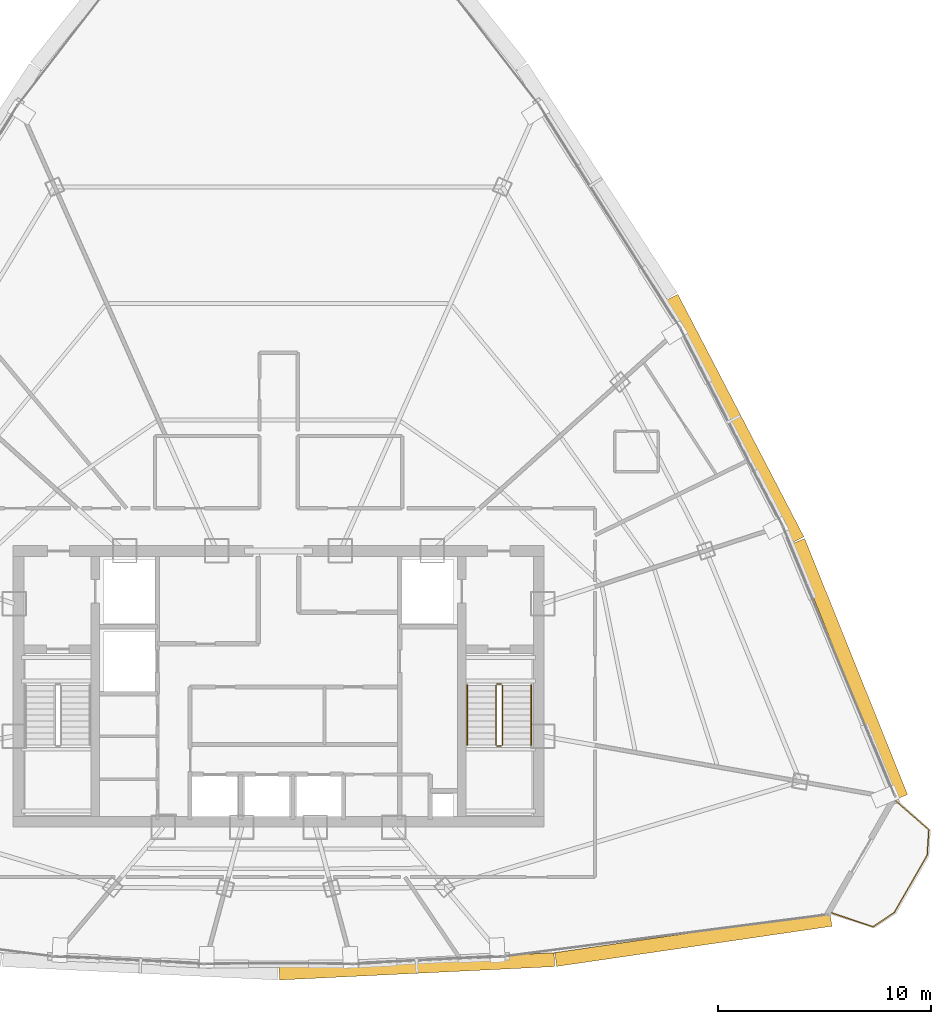
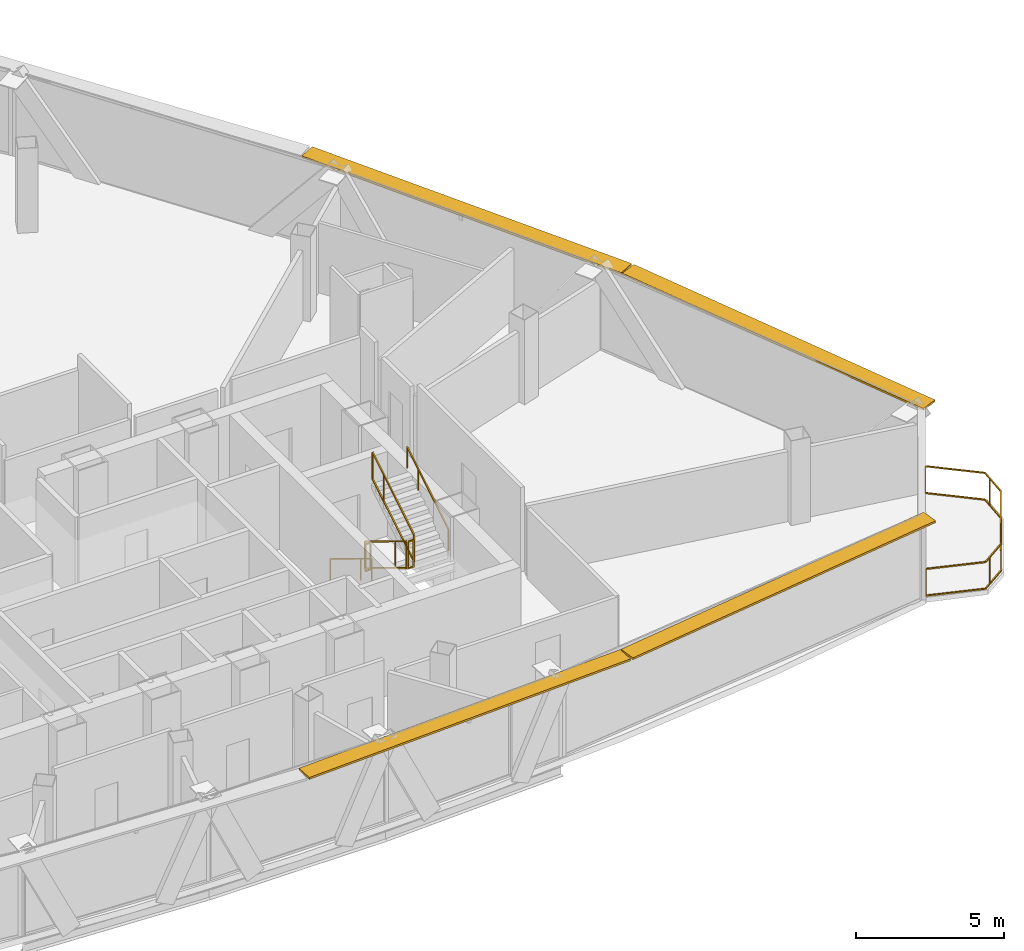
# One storey, part 33 of 34: 7 railings, 4 shading devices.
"""IFC4 building model written with IfcOpenShell, lengths in metres."""

from ifc_helpers import new_model, si_unit, direction, frame, origin, origin_2d, place, context, subcontext, project, spatial, rectangle, extrude, source, transform, mapped, material, layer, layer_set, type_object, element, save


model = new_model("IFC4")

# Units and contexts
model_context = context("Model", 3, precision=1e-05, world=origin(), true_north=direction((0.0, 1.0)))
body_context = subcontext(model_context, "Body", "Model", "MODEL_VIEW")
ifc_project = project(units=[si_unit("LENGTHUNIT", "METRE"), si_unit("AREAUNIT", "SQUARE_METRE"), si_unit("VOLUMEUNIT", "CUBIC_METRE"), si_unit("PLANEANGLEUNIT", "RADIAN"), si_unit("MASSUNIT", "GRAM", prefix="KILO"), si_unit("THERMODYNAMICTEMPERATUREUNIT", "KELVIN"), si_unit("POWERUNIT", "WATT")], contexts=[model_context])

# Site, building, storey
site_placement = place(None, origin())
site = spatial("IfcSite", under=ifc_project, at=site_placement, CompositionType="ELEMENT")
building_placement = place(site_placement, origin())
building = spatial("IfcBuilding", under=site, at=building_placement, Name="Yunzhuo Pagoda Commons", CompositionType="ELEMENT")
storey_placement = place(building_placement, frame((0.0, 0.0, 333.010009765625)))
storey = spatial("IfcBuildingStorey", under=building, at=storey_placement, Name="L83", CompositionType="ELEMENT", Elevation=333.010009765625)

# Railings
ifc_material = material(Name="Anodized aluminium 6063-T6", Category="aluminium")
railing_type_1 = type_object("IfcRailingType", Name="GR-ST2 Stair Well Guardrail 1160", PredefinedType="GUARDRAIL", material=ifc_material)
railing_1_placement = place(storey_placement, frame((58.199951171875, 33.89990234375, 0.17041015625)))
element("IfcRailing", 1, at=railing_1_placement, inside=storey, type_object=railing_type_1, Name="L83 ST2 stair guard 1", PredefinedType="GUARDRAIL", context=body_context, shape_type="SweptSolid", body=[
    extrude(rectangle(XDim=0.048095703125, YDim=0.048095703125, at=origin_2d()), frame((0.0, 0.0, 1.1259765625), z_axis=(0.0, -0.854149651119, 0.520027281489), x_axis=(1.0, 0.0, 0.0)), (0.0, 0.0, 1.0), 3.27783203125),
    extrude(rectangle(XDim=0.048095703125, YDim=0.048095703125, at=origin_2d()), frame((0.0, 0.0, 0.02392578125), z_axis=(0.0, -0.854149651119, 0.520027281489), x_axis=(1.0, 0.0, 0.0)), (0.0, 0.0, 1.0), 3.27783203125),
    extrude(rectangle(XDim=0.0419921875, YDim=0.0419921875, at=origin_2d()), origin(), (0.0, 0.0, 1.0), 1.101806640625),
    extrude(rectangle(XDim=0.0419921875, YDim=0.0419921875, at=origin_2d()), frame((0.0, -2.050048828125, 1.248046875)), (0.0, 0.0, 1.0), 1.101806640625),
    extrude(rectangle(XDim=0.0419921875, YDim=0.0419921875, at=origin_2d()), frame((0.0, -2.7998046875, 1.70458984375)), (0.0, 0.0, 1.0), 1.101806640625),
])
railing_2_placement = place(storey_placement, frame((58.25, 31.050048828125, 1.875)))
element("IfcRailing", 2, at=railing_2_placement, inside=storey, type_object=railing_type_1, Name="L83 ST2 stair guard 2", PredefinedType="GUARDRAIL", context=body_context, shape_type="SweptSolid", body=[
    extrude(rectangle(XDim=0.048095703125, YDim=0.048095703125, at=origin_2d()), frame((0.0, 0.0, 1.1259765625), z_axis=(1.0, 0.0, 0.0), x_axis=(0.0, 1.0, 0.0)), (0.0, 0.0, 1.0), 0.199951171875),
    extrude(rectangle(XDim=0.048095703125, YDim=0.048095703125, at=origin_2d()), frame((0.0, 0.0, 0.02392578125), z_axis=(1.0, 0.0, 0.0), x_axis=(0.0, 1.0, 0.0)), (0.0, 0.0, 1.0), 0.199951171875),
    extrude(rectangle(XDim=0.0419921875, YDim=0.0419921875, at=origin_2d()), origin(), (0.0, 0.0, 1.0), 1.101806640625),
    extrude(rectangle(XDim=0.0419921875, YDim=0.0419921875, at=origin_2d()), frame((0.199951171875, 0.0, 0.0)), (0.0, 0.0, 1.0), 1.101806640625),
])
railing_3_placement = place(storey_placement, frame((58.5, 31.10009765625, 2.04541015625)))
element("IfcRailing", 3, at=railing_3_placement, inside=storey, type_object=railing_type_1, Name="L83 ST2 stair guard 3", PredefinedType="GUARDRAIL", context=body_context, shape_type="SweptSolid", body=[
    extrude(rectangle(XDim=0.048095703125, YDim=0.048095703125, at=origin_2d()), frame((0.0, 0.0, 1.1259765625), z_axis=(0.0, 0.854149651119, 0.520027281489), x_axis=(-1.0, 0.0, 0.0)), (0.0, 0.0, 1.0), 3.27783203125),
    extrude(rectangle(XDim=0.048095703125, YDim=0.048095703125, at=origin_2d()), frame((0.0, 0.0, 0.02392578125), z_axis=(0.0, 0.854149651119, 0.520027281489), x_axis=(-1.0, 0.0, 0.0)), (0.0, 0.0, 1.0), 3.27783203125),
    extrude(rectangle(XDim=0.0419921875, YDim=0.0419921875, at=origin_2d()), origin(), (0.0, 0.0, 1.0), 1.101806640625),
    extrude(rectangle(XDim=0.0419921875, YDim=0.0419921875, at=origin_2d()), frame((0.0, 2.050048828125, 1.248046875)), (0.0, 0.0, 1.0), 1.101806640625),
    extrude(rectangle(XDim=0.0419921875, YDim=0.0419921875, at=origin_2d()), frame((0.0, 2.7998046875, 1.70458984375)), (0.0, 0.0, 1.0), 1.101806640625),
])
railing_4_placement = place(storey_placement, frame((58.25, 33.949951171875, 0.0)))
element("IfcRailing", 4, at=railing_4_placement, inside=storey, type_object=railing_type_1, Name="L83 ST2 stair guard 4", PredefinedType="GUARDRAIL", context=body_context, shape_type="SweptSolid", body=[
    extrude(rectangle(XDim=0.048095703125, YDim=0.048095703125, at=origin_2d()), frame((0.0, 0.0, 1.1259765625), z_axis=(1.0, 0.0, 0.0), x_axis=(0.0, 1.0, 0.0)), (0.0, 0.0, 1.0), 0.199951171875),
    extrude(rectangle(XDim=0.048095703125, YDim=0.048095703125, at=origin_2d()), frame((0.0, 0.0, 0.02392578125), z_axis=(1.0, 0.0, 0.0), x_axis=(0.0, 1.0, 0.0)), (0.0, 0.0, 1.0), 0.199951171875),
    extrude(rectangle(XDim=0.0419921875, YDim=0.0419921875, at=origin_2d()), origin(), (0.0, 0.0, 1.0), 1.101806640625),
    extrude(rectangle(XDim=0.0419921875, YDim=0.0419921875, at=origin_2d()), frame((0.199951171875, 0.0, 0.0)), (0.0, 0.0, 1.0), 1.101806640625),
])
railing_type_2 = type_object("IfcRailingType", Name="HR-ST2 Stair Handrail 900", PredefinedType="HANDRAIL", material=ifc_material)
railing_5_placement = place(storey_placement, frame((56.85009765625, 33.89990234375, 0.17041015625)))
element("IfcRailing", 5, at=railing_5_placement, inside=storey, type_object=railing_type_2, Name="L83 ST2 stair handrail 1", PredefinedType="HANDRAIL", context=body_context, shape_type="SweptSolid", body=[
    extrude(rectangle(XDim=0.048095703125, YDim=0.048095703125, at=origin_2d()), frame((0.0, 0.0, 0.8759765625), z_axis=(0.0, -0.854149651119, 0.520027281489), x_axis=(1.0, 0.0, 0.0)), (0.0, 0.0, 1.0), 3.27783203125),
    extrude(rectangle(XDim=0.0419921875, YDim=0.0419921875, at=origin_2d()), origin(), (0.0, 0.0, 1.0), 0.851806640625),
    extrude(rectangle(XDim=0.0419921875, YDim=0.0419921875, at=origin_2d()), frame((0.0, -2.050048828125, 1.248046875)), (0.0, 0.0, 1.0), 0.851806640625),
    extrude(rectangle(XDim=0.0419921875, YDim=0.0419921875, at=origin_2d()), frame((0.0, -2.7998046875, 1.70458984375)), (0.0, 0.0, 1.0), 0.851806640625),
])
railing_6_placement = place(storey_placement, frame((59.85009765625, 31.10009765625, 2.04541015625)))
element("IfcRailing", 6, at=railing_6_placement, inside=storey, type_object=railing_type_2, Name="L83 ST2 stair handrail 2", PredefinedType="HANDRAIL", context=body_context, shape_type="SweptSolid", body=[
    extrude(rectangle(XDim=0.048095703125, YDim=0.048095703125, at=origin_2d()), frame((0.0, 0.0, 0.8759765625), z_axis=(0.0, 0.854149651119, 0.520027281489), x_axis=(-1.0, 0.0, 0.0)), (0.0, 0.0, 1.0), 3.27783203125),
    extrude(rectangle(XDim=0.0419921875, YDim=0.0419921875, at=origin_2d()), origin(), (0.0, 0.0, 1.0), 0.851806640625),
    extrude(rectangle(XDim=0.0419921875, YDim=0.0419921875, at=origin_2d()), frame((0.0, 2.050048828125, 1.248046875)), (0.0, 0.0, 1.0), 0.851806640625),
    extrude(rectangle(XDim=0.0419921875, YDim=0.0419921875, at=origin_2d()), frame((0.0, 2.7998046875, 1.70458984375)), (0.0, 0.0, 1.0), 0.851806640625),
])
railing_type_3 = type_object("IfcRailingType", Name="RL-BAL1 Exterior Terrace & Balcony Balustrade 1150", PredefinedType="BALUSTRADE", material=ifc_material)
railing_7_placement = place(storey_placement, frame((73.939697265625, 23.225830078125, 0.0)))
element("IfcRailing", 7, at=railing_7_placement, inside=storey, type_object=railing_type_3, Name="L83 corner balcony balustrade V2", PredefinedType="BALUSTRADE", context=body_context, shape_type="SweptSolid", body=[
    extrude(rectangle(XDim=0.048095703125, YDim=0.048095703125, at=origin_2d()), frame((0.0, 0.0, 1.1259765625), z_axis=(0.947419062147, -0.319995501031, 0.0), x_axis=(0.319995501031, 0.947419062147, 0.0)), (0.0, 0.0, 1.0), 2.05908203125),
    extrude(rectangle(XDim=0.048095703125, YDim=0.048095703125, at=origin_2d()), frame((0.0, 0.0, 0.02392578125), z_axis=(0.947419062147, -0.319995501031, 0.0), x_axis=(0.319995501031, 0.947419062147, 0.0)), (0.0, 0.0, 1.0), 2.05908203125),
    extrude(rectangle(XDim=0.048095703125, YDim=0.048095703125, at=origin_2d()), frame((1.950927734375, -0.658935546875, 1.1259765625), z_axis=(0.830446287952, 0.557098701154, 0.0), x_axis=(-0.557098701154, 0.830446287952, 0.0)), (0.0, 0.0, 1.0), 1.19677734375),
    extrude(rectangle(XDim=0.048095703125, YDim=0.048095703125, at=origin_2d()), frame((1.950927734375, -0.658935546875, 0.02392578125), z_axis=(0.830446287952, 0.557098701154, 0.0), x_axis=(-0.557098701154, 0.830446287952, 0.0)), (0.0, 0.0, 1.0), 1.19677734375),
    extrude(rectangle(XDim=0.048095703125, YDim=0.048095703125, at=origin_2d()), frame((2.94482421875, 0.0078125, 1.1259765625), z_axis=(0.497966035481, 0.867196533381, 0.0), x_axis=(-0.867196533381, 0.497966035481, 0.0)), (0.0, 0.0, 1.0), 3.1064453125),
    extrude(rectangle(XDim=0.048095703125, YDim=0.048095703125, at=origin_2d()), frame((2.94482421875, 0.0078125, 0.02392578125), z_axis=(0.497966035481, 0.867196533381, 0.0), x_axis=(-0.867196533381, 0.497966035481, 0.0)), (0.0, 0.0, 1.0), 3.1064453125),
    extrude(rectangle(XDim=0.048095703125, YDim=0.048095703125, at=origin_2d()), frame((4.49169921875, 2.70166015625, 1.1259765625), z_axis=(0.062416382628, 0.998050196723, 0.0), x_axis=(-0.998050196723, 0.062416382628, 0.0)), (0.0, 0.0, 1.0), 1.197021484375),
    extrude(rectangle(XDim=0.048095703125, YDim=0.048095703125, at=origin_2d()), frame((4.49169921875, 2.70166015625, 0.02392578125), z_axis=(0.062416382628, 0.998050196723, 0.0), x_axis=(-0.998050196723, 0.062416382628, 0.0)), (0.0, 0.0, 1.0), 1.197021484375),
    extrude(rectangle(XDim=0.048095703125, YDim=0.048095703125, at=origin_2d()), frame((4.56640625, 3.896240234375, 1.1259765625), z_axis=(-0.753933830692, 0.656950362614, 0.0), x_axis=(-0.656950362614, -0.753933830692, 0.0)), (0.0, 0.0, 1.0), 2.05908203125),
    extrude(rectangle(XDim=0.048095703125, YDim=0.048095703125, at=origin_2d()), frame((4.56640625, 3.896240234375, 0.02392578125), z_axis=(-0.753933830692, 0.656950362614, 0.0), x_axis=(-0.656950362614, -0.753933830692, 0.0)), (0.0, 0.0, 1.0), 2.05908203125),
    extrude(rectangle(XDim=0.0419921875, YDim=0.0419921875, at=origin_2d()), origin(), (0.0, 0.0, 1.0), 1.101806640625),
    extrude(rectangle(XDim=0.0419921875, YDim=0.0419921875, at=origin_2d()), frame((2.23388671875, -0.468994140625, 0.0)), (0.0, 0.0, 1.0), 1.101806640625),
    extrude(rectangle(XDim=0.0419921875, YDim=0.0419921875, at=origin_2d()), frame((3.713623046875, 1.3466796875, 0.0)), (0.0, 0.0, 1.0), 1.101806640625),
    extrude(rectangle(XDim=0.0419921875, YDim=0.0419921875, at=origin_2d()), frame((4.5439453125, 3.53759765625, 0.0)), (0.0, 0.0, 1.0), 1.101806640625),
    extrude(rectangle(XDim=0.0419921875, YDim=0.0419921875, at=origin_2d()), frame((3.013916015625, 5.2490234375, 0.0)), (0.0, 0.0, 1.0), 1.101806640625),
])

# Shading devices
ifc_layer = layer(ifc_material, 0.080078125)
ifc_layer_set = layer_set([ifc_layer], Name="Anodized aluminium 6063-T6")
shading_device_type = type_object("IfcShadingDeviceType", Name="SH-SUN1 Pagoda Horizontal Sunshade Eave 650", PredefinedType="USERDEFINED", material=ifc_layer_set)
shared_shape_1 = source(origin(), body_context, "Body", "SweptSolid", [
    extrude(rectangle(XDim=13.047119140625, YDim=0.64990234375, at=origin_2d()), origin(), (0.0, 0.0, 1.0), 0.080078125),
])
shading_device_1_placement = place(storey_placement, frame((67.45947265625, 21.9736328125, 3.409912109375), z_axis=(0.0, 0.0, 1.0), x_axis=(0.989510666697, 0.144459823108, 0.0)))
element("IfcShadingDevice", 8, at=shading_device_1_placement, inside=storey, type_object=shading_device_type, Name="L83 horizontal pagoda sunshade eave F1.4", ObjectType="SUNSHADE", PredefinedType="USERDEFINED", context=body_context, shape_type="MappedRepresentation", body=[
    mapped(shared_shape_1, transform((0.0, 0.0, 0.0), scale=1.0)),
])
shared_shape_2 = source(origin(), body_context, "Body", "SweptSolid", [
    extrude(rectangle(XDim=12.92529296875, YDim=0.64990234375, at=origin_2d()), origin(), (0.0, 0.0, 1.0), 0.080078125),
])
shading_device_2_placement = place(storey_placement, frame((54.486572265625, 20.711181640625, 3.409912109375), z_axis=(0.0, 0.0, 1.0), x_axis=(0.998818043775, 0.04860571396, 0.0)))
element("IfcShadingDevice", 9, at=shading_device_2_placement, inside=storey, type_object=shading_device_type, Name="L83 horizontal pagoda sunshade eave F1.3", ObjectType="SUNSHADE", PredefinedType="USERDEFINED", context=body_context, shape_type="MappedRepresentation", body=[
    mapped(shared_shape_2, transform((0.0, 0.0, 0.0), scale=1.0)),
])
shared_shape_3 = source(origin(), body_context, "Body", "SweptSolid", [
    extrude(rectangle(XDim=12.942138671875, YDim=0.64990234375, at=origin_2d()), origin(), (0.0, 0.0, 1.0), 0.080078125),
])
shading_device_3_placement = place(storey_placement, frame((74.794921875, 34.656494140625, 3.409912109375), z_axis=(0.0, 0.0, 1.0), x_axis=(-0.372987782576, 0.927836253899, 0.0)))
element("IfcShadingDevice", 10, at=shading_device_3_placement, inside=storey, type_object=shading_device_type, Name="L83 horizontal pagoda sunshade eave F2.1", ObjectType="SUNSHADE", PredefinedType="USERDEFINED", context=body_context, shape_type="MappedRepresentation", body=[
    mapped(shared_shape_3, transform((0.0, 0.0, 0.0), scale=1.0)),
])
shared_shape_4 = source(origin(), body_context, "Body", "SweptSolid", [
    extrude(rectangle(XDim=12.8193359375, YDim=0.64990234375, at=origin_2d()), origin(), (0.0, 0.0, 1.0), 0.080078125),
])
shading_device_4_placement = place(storey_placement, frame((69.398681640625, 46.4052734375, 3.409912109375), z_axis=(0.0, 0.0, 1.0), x_axis=(-0.461206683033, 0.88729273384, 0.0)))
element("IfcShadingDevice", 11, at=shading_device_4_placement, inside=storey, type_object=shading_device_type, Name="L83 horizontal pagoda sunshade eave F2.2", ObjectType="SUNSHADE", PredefinedType="USERDEFINED", context=body_context, shape_type="MappedRepresentation", body=[
    mapped(shared_shape_4, transform((0.0, 0.0, 0.0), scale=1.0)),
])

save(model, "model.ifc")
